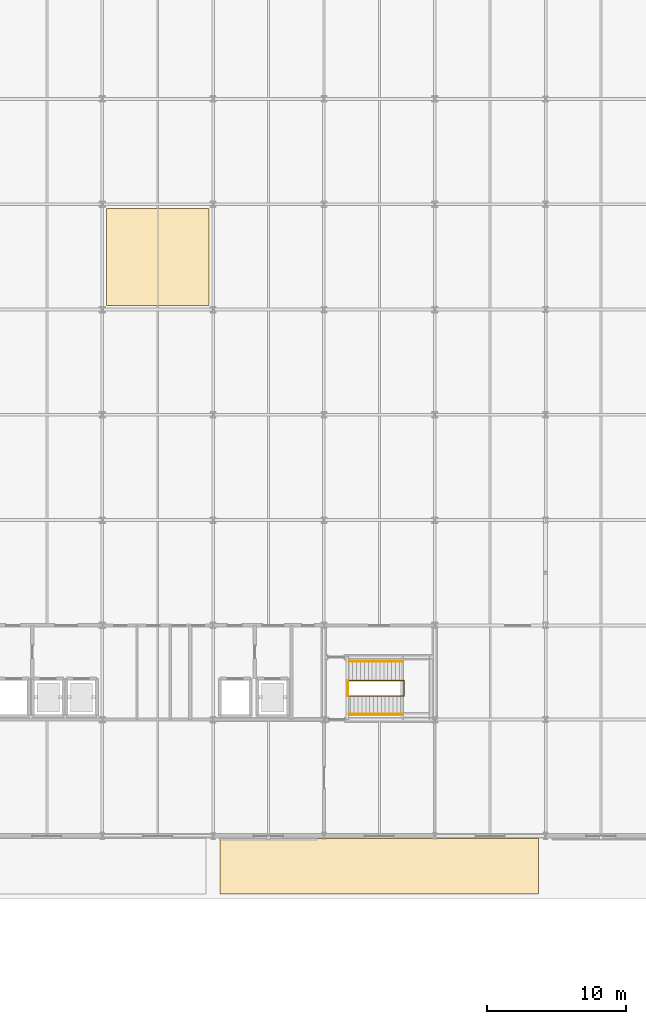
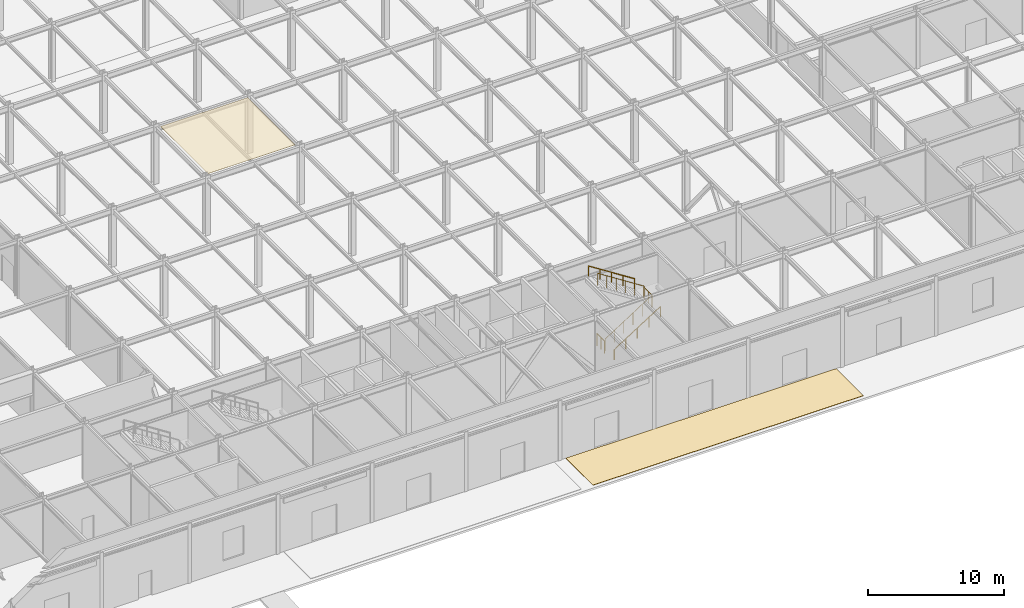
# One storey, part 83 of 89: 4 railings, 2 coverings.
"""IFC4 building model written with IfcOpenShell, lengths in metres."""

from ifc_helpers import new_model, si_unit, direction, frame, origin, origin_2d, place, context, subcontext, project, spatial, polyline, circle, outline, extrude, material, layer, layer_set, type_object, element, save


model = new_model("IFC4")

# Units and contexts
model_context = context("Model", 3, precision=1e-05, world=origin(), true_north=direction((0.0, 1.0)))
body_context = subcontext(model_context, "Body", "Model", "MODEL_VIEW")
ifc_project = project(units=[si_unit("LENGTHUNIT", "METRE"), si_unit("AREAUNIT", "SQUARE_METRE"), si_unit("VOLUMEUNIT", "CUBIC_METRE"), si_unit("PLANEANGLEUNIT", "RADIAN"), si_unit("MASSUNIT", "GRAM", prefix="KILO")], contexts=[model_context])

# Site, building, storey
site_placement = place(None, origin())
site = spatial("IfcSite", under=ifc_project, at=site_placement, CompositionType="ELEMENT")
building_placement = place(site_placement, origin())
building = spatial("IfcBuilding", under=site, at=building_placement, Name="Shalkamar Park Central Library", CompositionType="ELEMENT")
storey_placement = place(building_placement, origin())
storey = spatial("IfcBuildingStorey", under=building, at=storey_placement, Name="L01", CompositionType="ELEMENT", Elevation=0.0)

# Coverings
ifc_material_1 = material(Name="Acoustic mineral fibre ceiling panel", Category="other")
ifc_layer_1 = layer(ifc_material_1, 0.02490234375)
ifc_layer_set_1 = layer_set([ifc_layer_1], Name="AcousticMineralCeilingTile")
covering_type_1 = type_object("IfcCoveringType", Name="Acoustic Mineral Ceiling Tile", PredefinedType="CEILING", material=ifc_layer_set_1)
covering_1_placement = place(storey_placement, frame((0.0, 0.0, 5.114990234375)))
element("IfcCovering", 1, at=covering_1_placement, inside=storey, type_object=covering_type_1, Name="Acoustic Reading Ceiling Panel L01", PredefinedType="CEILING", context=body_context, shape_type="SweptSolid", body=[
    extrude(outline(polyline([(181.300048828125, 278.300048828125), (188.699951171875, 278.300048828125), (188.699951171875, 285.300048828125), (181.300048828125, 285.300048828125), (181.300048828125, 278.300048828125)])), origin(), (0.0, 0.0, 1.0), 0.02490234375),
])
ifc_material_2 = material(Name="Flamed grey granite paving", Category="masonry")
ifc_layer_2 = layer(ifc_material_2, 0.0400390625)
ifc_layer_set_2 = layer_set([ifc_layer_2], Name="FlamedGranitePlazaPaving")
covering_type_2 = type_object("IfcCoveringType", Name="Flamed Granite Plaza Paving", PredefinedType="FLOORING", material=ifc_layer_set_2)
covering_2_placement = place(storey_placement, origin())
element("IfcCovering", 2, at=covering_2_placement, inside=storey, type_object=covering_type_2, Name="Flamed Granite Plaza Paving PAV-S2", PredefinedType="FLOORING", context=body_context, shape_type="SweptSolid", body=[
    extrude(outline(polyline([(189.5, 235.800048828125), (212.5, 235.800048828125), (212.5, 239.800048828125), (189.5, 239.800048828125), (189.5, 235.800048828125)])), origin(), (0.0, 0.0, 1.0), 0.030029296875),
])

# Railings
ifc_material_3 = material(Name="Steel S355", Category="steel")
railing_type_1 = type_object("IfcRailingType", Name="Stair Guardrail 1100", PredefinedType="GUARDRAIL", material=ifc_material_3)
railing_1_placement = place(storey_placement, frame((198.800048828125, 250.090087890625, 0.179931640625)))
element("IfcRailing", 3, at=railing_1_placement, inside=storey, type_object=railing_type_1, Name="Stair Inner Well Guardrail ST-T2-L01", PredefinedType="GUARDRAIL", context=body_context, shape_type="SweptSolid", body=[
    extrude(circle(Radius=0.02392578125, at=origin_2d()), frame((0.0, 0.0, 1.076171875), z_axis=(0.841171666519, 0.0, 0.540768182723), x_axis=(0.0, 1.0, 0.0)), (0.0, 0.0, 1.0), 4.66015625),
    extrude(circle(Radius=0.02392578125, at=origin_2d()), frame((3.919921875, 0.0, 3.59619140625), z_axis=(1.0, 0.0, 0.0), x_axis=(0.0, 1.0, 0.0)), (0.0, 0.0, 1.0), 0.06005859375),
    extrude(circle(Radius=0.02392578125, at=origin_2d()), frame((3.97998046875, 0.0, 3.59619140625), z_axis=(0.0, 1.0, 0.0), x_axis=(-1.0, 0.0, 0.0)), (0.0, 0.0, 1.0), 1.119873046875),
    extrude(circle(Radius=0.02392578125, at=origin_2d()), frame((3.97998046875, 1.119873046875, 3.59619140625), z_axis=(-0.316613854282, 0.0, 0.948554514657), x_axis=(0.0, -1.0, 0.0)), (0.0, 0.0, 1.0), 0.189697265625),
    extrude(circle(Radius=0.02392578125, at=origin_2d()), frame((3.919921875, 1.119873046875, 3.77587890625), z_axis=(-0.841171666519, 0.0, 0.540768182723), x_axis=(0.0, -1.0, 0.0)), (0.0, 0.0, 1.0), 4.66015625),
    extrude(circle(Radius=0.02099609375, at=origin_2d()), origin(), (0.0, 0.0, 1.0), 1.052001953125),
    extrude(circle(Radius=0.02099609375, at=origin_2d()), frame((0.783935546875, 0.0, 0.50390625)), (0.0, 0.0, 1.0), 1.052001953125),
    extrude(circle(Radius=0.02099609375, at=origin_2d()), frame((1.56787109375, 0.0, 1.008056640625)), (0.0, 0.0, 1.0), 1.052001953125),
    extrude(circle(Radius=0.02099609375, at=origin_2d()), frame((2.35205078125, 0.0, 1.511962890625)), (0.0, 0.0, 1.0), 1.052001953125),
    extrude(circle(Radius=0.02099609375, at=origin_2d()), frame((3.135986328125, 0.0, 2.01611328125)), (0.0, 0.0, 1.0), 1.052001953125),
    extrude(circle(Radius=0.02099609375, at=origin_2d()), frame((3.919921875, 0.0, 2.52001953125)), (0.0, 0.0, 1.0), 1.052001953125),
    extrude(circle(Radius=0.02099609375, at=origin_2d()), frame((3.97998046875, 0.0, 2.52001953125)), (0.0, 0.0, 1.0), 1.052001953125),
    extrude(circle(Radius=0.02099609375, at=origin_2d()), frame((3.97998046875, 0.56005859375, 2.52001953125)), (0.0, 0.0, 1.0), 1.052001953125),
    extrude(circle(Radius=0.02099609375, at=origin_2d()), frame((3.97998046875, 1.119873046875, 2.52001953125)), (0.0, 0.0, 1.0), 1.052001953125),
    extrude(circle(Radius=0.02099609375, at=origin_2d()), frame((3.919921875, 1.119873046875, 2.699951171875)), (0.0, 0.0, 1.0), 1.052001953125),
    extrude(circle(Radius=0.02099609375, at=origin_2d()), frame((3.135986328125, 1.119873046875, 3.203857421875)), (0.0, 0.0, 1.0), 1.052001953125),
    extrude(circle(Radius=0.02099609375, at=origin_2d()), frame((2.35205078125, 1.119873046875, 3.7080078125)), (0.0, 0.0, 1.0), 1.052001953125),
    extrude(circle(Radius=0.02099609375, at=origin_2d()), frame((1.56787109375, 1.119873046875, 4.2119140625)), (0.0, 0.0, 1.0), 1.052001953125),
    extrude(circle(Radius=0.02099609375, at=origin_2d()), frame((0.783935546875, 1.119873046875, 4.716064453125)), (0.0, 0.0, 1.0), 1.052001953125),
    extrude(circle(Radius=0.02099609375, at=origin_2d()), frame((0.0, 1.119873046875, 5.219970703125)), (0.0, 0.0, 1.0), 1.052001953125),
])
railing_2_placement = place(storey_placement, frame((198.739990234375, 250.10009765625, 0.0)))
element("IfcRailing", 4, at=railing_2_placement, inside=storey, type_object=railing_type_1, Name="Stair Arrival Well Guardrail ST-T2 (L01)", PredefinedType="GUARDRAIL", context=body_context, shape_type="SweptSolid", body=[
    extrude(circle(Radius=0.02392578125, at=origin_2d()), frame((0.0, 0.0, 1.076171875), z_axis=(0.0, 1.0, 0.0), x_axis=(-1.0, 0.0, 0.0)), (0.0, 0.0, 1.0), 1.099853515625),
    extrude(circle(Radius=0.02099609375, at=origin_2d()), origin(), (0.0, 0.0, 1.0), 1.052001953125),
    extrude(circle(Radius=0.02099609375, at=origin_2d()), frame((0.0, 0.5498046875, 0.0)), (0.0, 0.0, 1.0), 1.052001953125),
    extrude(circle(Radius=0.02099609375, at=origin_2d()), frame((0.0, 1.099853515625, 0.0)), (0.0, 0.0, 1.0), 1.052001953125),
])
railing_type_2 = type_object("IfcRailingType", Name="Stair Pitched Handrail 920", PredefinedType="HANDRAIL", material=ifc_material_3)
railing_3_placement = place(storey_placement, frame((198.800048828125, 248.780029296875, 0.179931640625)))
element("IfcRailing", 5, at=railing_3_placement, inside=storey, type_object=railing_type_2, Name="Stair Wall Handrail ST-T2-L01 Flight 1", PredefinedType="HANDRAIL", context=body_context, shape_type="SweptSolid", body=[
    extrude(circle(Radius=0.02392578125, at=origin_2d()), frame((0.0, 0.0, 0.89599609375), z_axis=(0.841171666519, 0.0, 0.540768182723), x_axis=(0.0, 1.0, 0.0)), (0.0, 0.0, 1.0), 4.66015625),
    extrude(circle(Radius=0.02099609375, at=origin_2d()), origin(), (0.0, 0.0, 1.0), 0.871826171875),
    extrude(circle(Radius=0.02099609375, at=origin_2d()), frame((0.97998046875, 0.0, 0.6298828125)), (0.0, 0.0, 1.0), 0.871826171875),
    extrude(circle(Radius=0.02099609375, at=origin_2d()), frame((1.9599609375, 0.0, 1.260009765625)), (0.0, 0.0, 1.0), 0.871826171875),
    extrude(circle(Radius=0.02099609375, at=origin_2d()), frame((2.93994140625, 0.0, 1.89013671875)), (0.0, 0.0, 1.0), 0.871826171875),
    extrude(circle(Radius=0.02099609375, at=origin_2d()), frame((3.919921875, 0.0, 2.52001953125)), (0.0, 0.0, 1.0), 0.871826171875),
])
railing_4_placement = place(storey_placement, frame((202.719970703125, 252.60009765625, 2.8798828125)))
element("IfcRailing", 6, at=railing_4_placement, inside=storey, type_object=railing_type_2, Name="Stair Wall Handrail ST-T2-L01 Flight 2", PredefinedType="HANDRAIL", context=body_context, shape_type="SweptSolid", body=[
    extrude(circle(Radius=0.02392578125, at=origin_2d()), frame((0.0, 0.0, 0.89599609375), z_axis=(-0.841171666519, 0.0, 0.540768182723), x_axis=(0.0, -1.0, 0.0)), (0.0, 0.0, 1.0), 4.66015625),
    extrude(circle(Radius=0.02099609375, at=origin_2d()), origin(), (0.0, 0.0, 1.0), 0.871826171875),
    extrude(circle(Radius=0.02099609375, at=origin_2d()), frame((-0.97998046875, 0.0, 0.6298828125)), (0.0, 0.0, 1.0), 0.871826171875),
    extrude(circle(Radius=0.02099609375, at=origin_2d()), frame((-1.9599609375, 0.0, 1.260009765625)), (0.0, 0.0, 1.0), 0.871826171875),
    extrude(circle(Radius=0.02099609375, at=origin_2d()), frame((-2.93994140625, 0.0, 1.89013671875)), (0.0, 0.0, 1.0), 0.871826171875),
    extrude(circle(Radius=0.02099609375, at=origin_2d()), frame((-3.919921875, 0.0, 2.52001953125)), (0.0, 0.0, 1.0), 0.871826171875),
])

save(model, "model.ifc")
